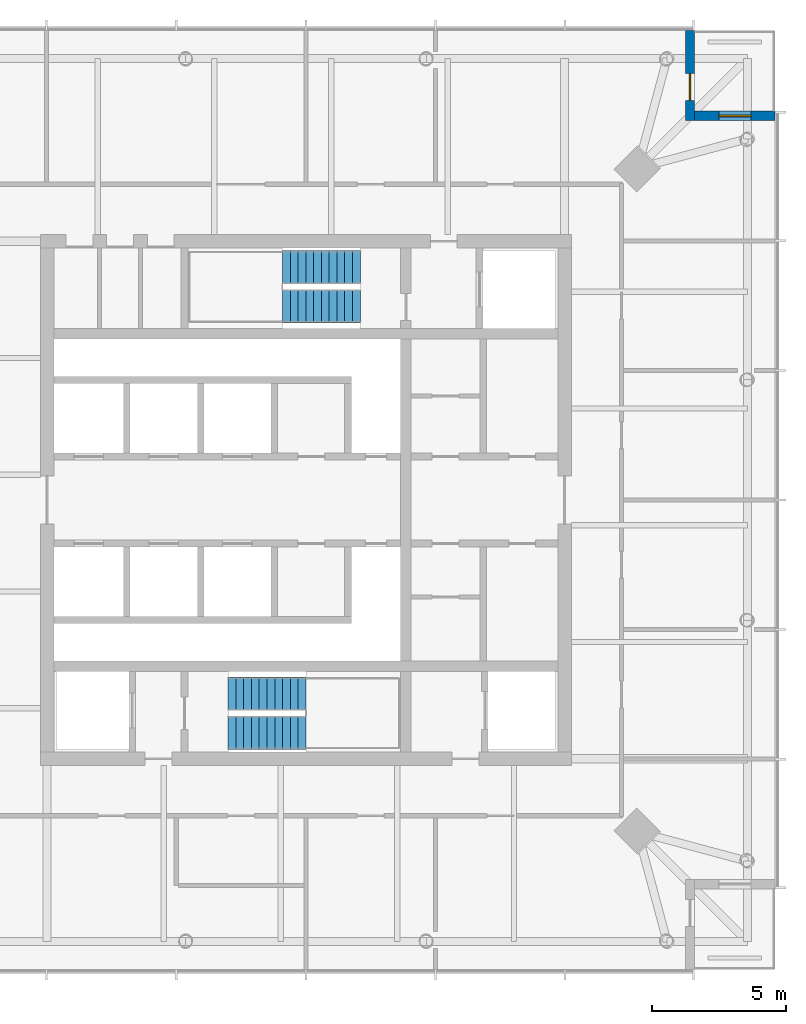
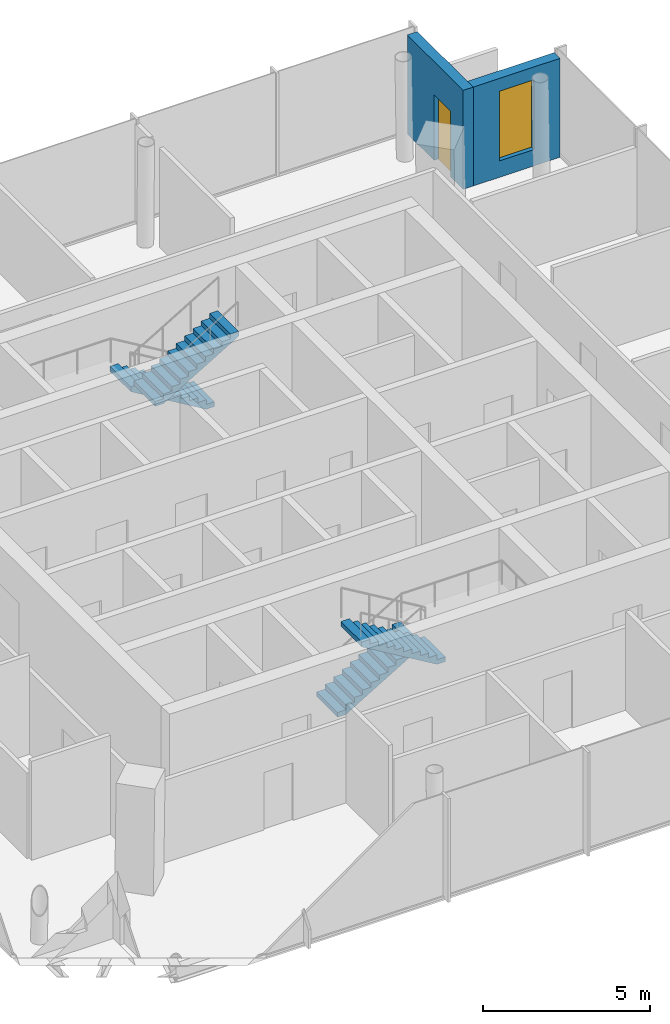
# One storey, part 6 of 7: 4 stair flights, 2 walls, 1 door, 1 window, 2 openings, 2 elements without a shape of their own.
"""IFC4 building model written with IfcOpenShell, lengths in metres."""

from ifc_helpers import new_model, si_unit, direction, frame, frame_2d, origin, place, context, subcontext, project, spatial, polyline, rectangle, outline, extrude, material, layer, layer_set, type_object, element, fill, aggregate, save


model = new_model("IFC4")

# Units and contexts
model_context = context("Model", 3, precision=1e-05, world=origin(), true_north=direction((0.0, 1.0)))
body_context = subcontext(model_context, "Body", "Model", "MODEL_VIEW")
ifc_project = project(units=[si_unit("LENGTHUNIT", "METRE"), si_unit("AREAUNIT", "SQUARE_METRE"), si_unit("VOLUMEUNIT", "CUBIC_METRE"), si_unit("PLANEANGLEUNIT", "RADIAN"), si_unit("MASSUNIT", "GRAM", prefix="KILO")], contexts=[model_context])

# Site, building, storey
site_placement = place(None, origin())
site = spatial("IfcSite", under=ifc_project, at=site_placement, CompositionType="ELEMENT")
building_placement = place(site_placement, origin())
building = spatial("IfcBuilding", under=site, at=building_placement, Name="Ostroluk Exchange", CompositionType="ELEMENT")
storey_placement = place(building_placement, frame((0.0, 0.0, 256.60009765625)))
storey = spatial("IfcBuildingStorey", under=building, at=storey_placement, Name="L66", CompositionType="ELEMENT", Elevation=256.60009765625)

# Wall, opening, door
ifc_material_1 = material(Name="Limestone", Category="masonry")
ifc_layer = layer(ifc_material_1, 0.35009765625)
ifc_layer_set = layer_set([ifc_layer], Name="Limestone facade wall 350")
wall_type = type_object("IfcWallType", Name="Limestone facade wall 350", PredefinedType="SOLIDWALL", material=ifc_layer_set)
wall_1_placement = place(storey_placement, frame((59.324951171875, 63.5, 0.0), z_axis=(0.0, 0.0, 1.0), x_axis=(0.0, -1.0, 0.0)))
wall_1 = element("IfcWall", 1, at=wall_1_placement, inside=storey, type_object=wall_type, Name="Office tower NE corner wall L66 a", PredefinedType="SOLIDWALL", context=body_context, shape_type="SweptSolid", body=[
    extrude(rectangle(XDim=3.35009765625, YDim=0.35009765625, at=frame_2d((1.675048828125, 0.0))), origin(), (0.0, 0.0, 1.0), 3.619873046875),
])
opening_1_placement = place(wall_1_placement, frame((1.60009765625, 0.0, 0.0)))
opening_1 = element("IfcOpeningElement", 2, at=opening_1_placement, cuts=wall_1, Name="Opening D-B1", PredefinedType="OPENING", context=body_context, shape_type="SweptSolid", body=[
    extrude(rectangle(XDim=1.0, YDim=2.39990234375, at=frame_2d((0.5, 1.199951171875))), frame((0.0, 0.18505859375, 0.0), z_axis=(0.0, -1.0, 0.0), x_axis=(1.0, 0.0, 0.0)), (0.0, 0.0, 1.0), 0.3701171875),
])
ifc_material_2 = material(Name="Bronze framed glazed door", Category="aluminium")
door_type = type_object("IfcDoorType", Name="Balcony door 1000 x 2400", OperationType="SINGLE_SWING_LEFT", PredefinedType="DOOR", material=ifc_material_2)
door_placement = place(opening_1_placement, origin())
door = element("IfcDoor", 3, at=door_placement, inside=storey, type_object=door_type, Name="Office tower NE balcony door L66", OperationType="SINGLE_SWING_RIGHT", OverallHeight=2.39990234375, OverallWidth=1.0, PredefinedType="DOOR", context=body_context, shape_type="SweptSolid", body=[
    extrude(rectangle(XDim=1.0, YDim=2.39990234375, at=frame_2d((0.5, 1.199951171875))), frame((0.0, 0.02490234375, 0.0), z_axis=(0.0, -1.0, 0.0), x_axis=(1.0, 0.0, 0.0)), (0.0, 0.0, 1.0), 0.050048828125),
])
fill(opening_1, door)

# Wall, opening, window
wall_2_placement = place(storey_placement, frame((59.5, 60.324951171875, 0.0), z_axis=(0.0, 0.0, 1.0), x_axis=(1.0, 0.0, 0.0)))
wall_2 = element("IfcWall", 4, at=wall_2_placement, inside=storey, type_object=wall_type, Name="Office tower NE corner wall L66 b", PredefinedType="SOLIDWALL", context=body_context, shape_type="SweptSolid", body=[
    extrude(rectangle(XDim=3.0, YDim=0.35009765625, at=frame_2d((1.5, 0.0))), origin(), (0.0, 0.0, 1.0), 3.619873046875),
])
opening_2_placement = place(wall_2_placement, frame((0.89990234375, 0.0, 0.60009765625)))
opening_2 = element("IfcOpeningElement", 5, at=opening_2_placement, cuts=wall_2, Name="Opening WN-L1", PredefinedType="OPENING", context=body_context, shape_type="SweptSolid", body=[
    extrude(rectangle(XDim=1.199951171875, YDim=2.550048828125, at=frame_2d((0.60009765625, 1.27490234375))), frame((0.0, 0.18505859375, 0.0), z_axis=(0.0, -1.0, 0.0), x_axis=(1.0, 0.0, 0.0)), (0.0, 0.0, 1.0), 0.3701171875),
])
ifc_material_3 = material(Name="Laminated clear glass", Category="glass")
window_type = type_object("IfcWindowType", Name="Lancet window 1200 x 2550", PartitioningType="SINGLE_PANEL", PredefinedType="WINDOW", material=ifc_material_3)
window_placement = place(opening_2_placement, origin())
window = element("IfcWindow", 6, at=window_placement, inside=storey, type_object=window_type, Name="Office tower NE lancet window L66", OverallHeight=2.550048828125, OverallWidth=1.199951171875, PartitioningType="SINGLE_PANEL", PredefinedType="WINDOW", context=body_context, shape_type="SweptSolid", body=[
    extrude(rectangle(XDim=1.199951171875, YDim=2.550048828125, at=frame_2d((0.60009765625, 1.27490234375))), frame((0.0, 0.030029296875, 0.0), z_axis=(0.0, -1.0, 0.0), x_axis=(1.0, 0.0, 0.0)), (0.0, 0.0, 1.0), 0.06005859375),
])
fill(opening_2, window)

# Stair, stair flights
ifc_material_4 = material(Name="Concrete C30/37", Category="concrete")
stair_type = type_object("IfcStairType", Name="Exit stair half turn 3800", PredefinedType="HALF_TURN_STAIR", material=ifc_material_4)
stair_1_placement = place(storey_placement, origin())
stair_1 = element("IfcStair", 7, at=stair_1_placement, inside=storey, type_object=stair_type, Name="Stair T1-S1 L66", PredefinedType="HALF_TURN_STAIR")
ifc_material_5 = material(Name="Concrete C30/37", Category="concrete")
stair_flight_type = type_object("IfcStairFlightType", Name="Stair flight 11 risers 172.7 x 290", PredefinedType="STRAIGHT", material=ifc_material_5)
stair_flight_1_placement = place(storey_placement, frame((42.10009765625, 38.77490234375, 0.0), z_axis=(0.0, 0.0, 1.0), x_axis=(1.0, 0.0, 0.0)))
stair_flight_1 = element("IfcStairFlight", 8, at=stair_flight_1_placement, type_object=stair_flight_type, Name="T1-S1 flight 1", NumberOfRisers=11, NumberOfTreads=10, PredefinedType="STRAIGHT", RiserHeight=0.172727273, TreadLength=0.29, context=body_context, shape_type="SweptSolid", body=[
    extrude(outline(polyline([(0.0, 0.0), (0.0, 0.172607421875), (0.2900390625, 0.172607421875), (0.2900390625, 0.345458984375), (0.580078125, 0.345458984375), (0.580078125, 0.51806640625), (0.8701171875, 0.51806640625), (0.8701171875, 0.69091796875), (1.159912109375, 0.69091796875), (1.159912109375, 0.863525390625), (1.449951171875, 0.863525390625), (1.449951171875, 1.036376953125), (1.739990234375, 1.036376953125), (1.739990234375, 1.208984375), (2.030029296875, 1.208984375), (2.030029296875, 1.3818359375), (2.320068359375, 1.3818359375), (2.320068359375, 1.554443359375), (2.610107421875, 1.554443359375), (2.610107421875, 1.727294921875), (2.89990234375, 1.727294921875), (2.89990234375, 1.89990234375), (2.89990234375, 1.552734375), (0.29296875, 0.0), (0.0, 0.0)])), frame((0.0, 0.625, 0.0), z_axis=(0.0, -1.0, 0.0), x_axis=(1.0, 0.0, 0.0)), (0.0, 0.0, 1.0), 1.25),
])
stair_flight_2_placement = place(storey_placement, frame((45.0, 37.324951171875, 1.89990234375), z_axis=(0.0, 0.0, 1.0), x_axis=(-1.0, 0.0, 0.0)))
stair_flight_2 = element("IfcStairFlight", 9, at=stair_flight_2_placement, type_object=stair_flight_type, Name="T1-S1 flight 2", NumberOfRisers=11, NumberOfTreads=10, PredefinedType="STRAIGHT", RiserHeight=0.172727273, TreadLength=0.29, context=body_context, shape_type="SweptSolid", body=[
    extrude(outline(polyline([(0.0, 0.0), (0.0, 0.172607421875), (0.2900390625, 0.172607421875), (0.2900390625, 0.345458984375), (0.580078125, 0.345458984375), (0.580078125, 0.51806640625), (0.8701171875, 0.51806640625), (0.8701171875, 0.69091796875), (1.159912109375, 0.69091796875), (1.159912109375, 0.863525390625), (1.449951171875, 0.863525390625), (1.449951171875, 1.036376953125), (1.739990234375, 1.036376953125), (1.739990234375, 1.208984375), (2.030029296875, 1.208984375), (2.030029296875, 1.3818359375), (2.320068359375, 1.3818359375), (2.320068359375, 1.554443359375), (2.610107421875, 1.554443359375), (2.610107421875, 1.727294921875), (2.89990234375, 1.727294921875), (2.89990234375, 1.89990234375), (2.89990234375, 1.552734375), (0.29296875, 0.0), (0.0, 0.0)])), frame((0.0, 0.625, 0.0), z_axis=(0.0, -1.0, 0.0), x_axis=(1.0, 0.0, 0.0)), (0.0, 0.0, 1.0), 1.25),
])
aggregate(stair_1, [stair_flight_1, stair_flight_2])

stair_2_placement = place(storey_placement, origin())
stair_2 = element("IfcStair", 10, at=stair_2_placement, inside=storey, type_object=stair_type, Name="Stair T1-S2 L66", PredefinedType="HALF_TURN_STAIR")
stair_flight_3_placement = place(storey_placement, frame((47.030029296875, 54.675048828125, 0.0), z_axis=(0.0, 0.0, 1.0), x_axis=(-1.0, 0.0, 0.0)))
stair_flight_3 = element("IfcStairFlight", 11, at=stair_flight_3_placement, type_object=stair_flight_type, Name="T1-S2 flight 1", NumberOfRisers=11, NumberOfTreads=10, PredefinedType="STRAIGHT", RiserHeight=0.172727273, TreadLength=0.29, context=body_context, shape_type="SweptSolid", body=[
    extrude(outline(polyline([(0.0, 0.0), (0.0, 0.172607421875), (0.2900390625, 0.172607421875), (0.2900390625, 0.345458984375), (0.580078125, 0.345458984375), (0.580078125, 0.51806640625), (0.8701171875, 0.51806640625), (0.8701171875, 0.69091796875), (1.159912109375, 0.69091796875), (1.159912109375, 0.863525390625), (1.449951171875, 0.863525390625), (1.449951171875, 1.036376953125), (1.739990234375, 1.036376953125), (1.739990234375, 1.208984375), (2.030029296875, 1.208984375), (2.030029296875, 1.3818359375), (2.320068359375, 1.3818359375), (2.320068359375, 1.554443359375), (2.610107421875, 1.554443359375), (2.610107421875, 1.727294921875), (2.89990234375, 1.727294921875), (2.89990234375, 1.89990234375), (2.89990234375, 1.552734375), (0.29296875, 0.0), (0.0, 0.0)])), frame((0.0, 0.625, 0.0), z_axis=(0.0, -1.0, 0.0), x_axis=(1.0, 0.0, 0.0)), (0.0, 0.0, 1.0), 1.25),
])
stair_flight_4_placement = place(storey_placement, frame((44.1298828125, 53.22509765625, 1.89990234375), z_axis=(0.0, 0.0, 1.0), x_axis=(1.0, 0.0, 0.0)))
stair_flight_4 = element("IfcStairFlight", 12, at=stair_flight_4_placement, type_object=stair_flight_type, Name="T1-S2 flight 2", NumberOfRisers=11, NumberOfTreads=10, PredefinedType="STRAIGHT", RiserHeight=0.172727273, TreadLength=0.29, context=body_context, shape_type="SweptSolid", body=[
    extrude(outline(polyline([(0.0, 0.0), (0.0, 0.172607421875), (0.2900390625, 0.172607421875), (0.2900390625, 0.345458984375), (0.580078125, 0.345458984375), (0.580078125, 0.51806640625), (0.8701171875, 0.51806640625), (0.8701171875, 0.69091796875), (1.159912109375, 0.69091796875), (1.159912109375, 0.863525390625), (1.449951171875, 0.863525390625), (1.449951171875, 1.036376953125), (1.739990234375, 1.036376953125), (1.739990234375, 1.208984375), (2.030029296875, 1.208984375), (2.030029296875, 1.3818359375), (2.320068359375, 1.3818359375), (2.320068359375, 1.554443359375), (2.610107421875, 1.554443359375), (2.610107421875, 1.727294921875), (2.89990234375, 1.727294921875), (2.89990234375, 1.89990234375), (2.89990234375, 1.552734375), (0.29296875, 0.0), (0.0, 0.0)])), frame((0.0, 0.625, 0.0), z_axis=(0.0, -1.0, 0.0), x_axis=(1.0, 0.0, 0.0)), (0.0, 0.0, 1.0), 1.25),
])
aggregate(stair_2, [stair_flight_3, stair_flight_4])

save(model, "model.ifc")
